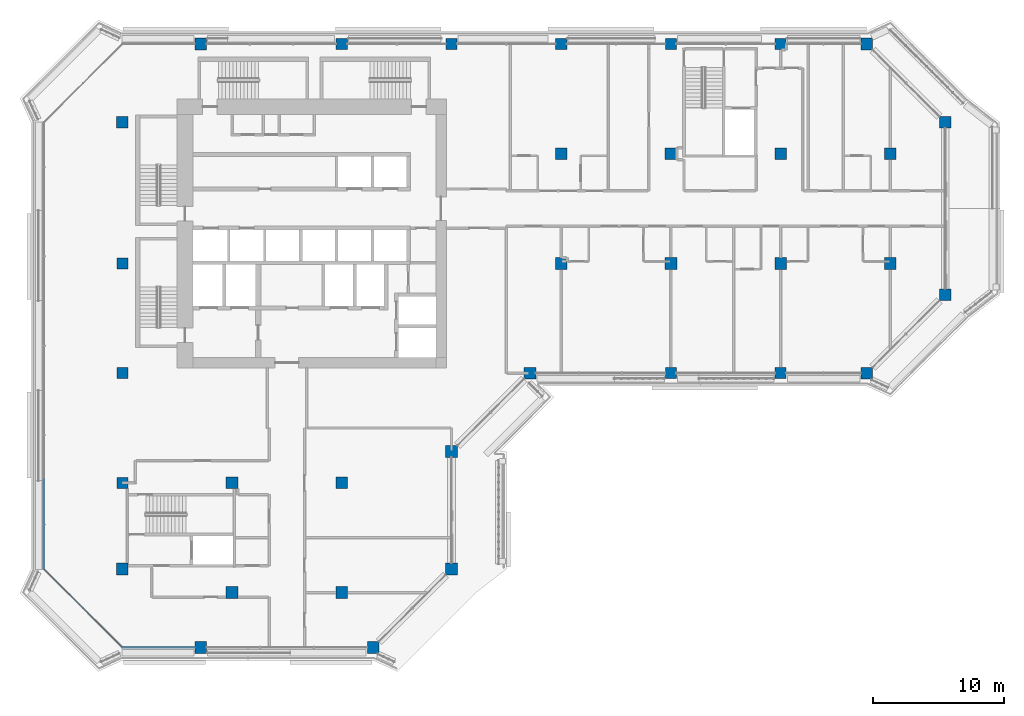
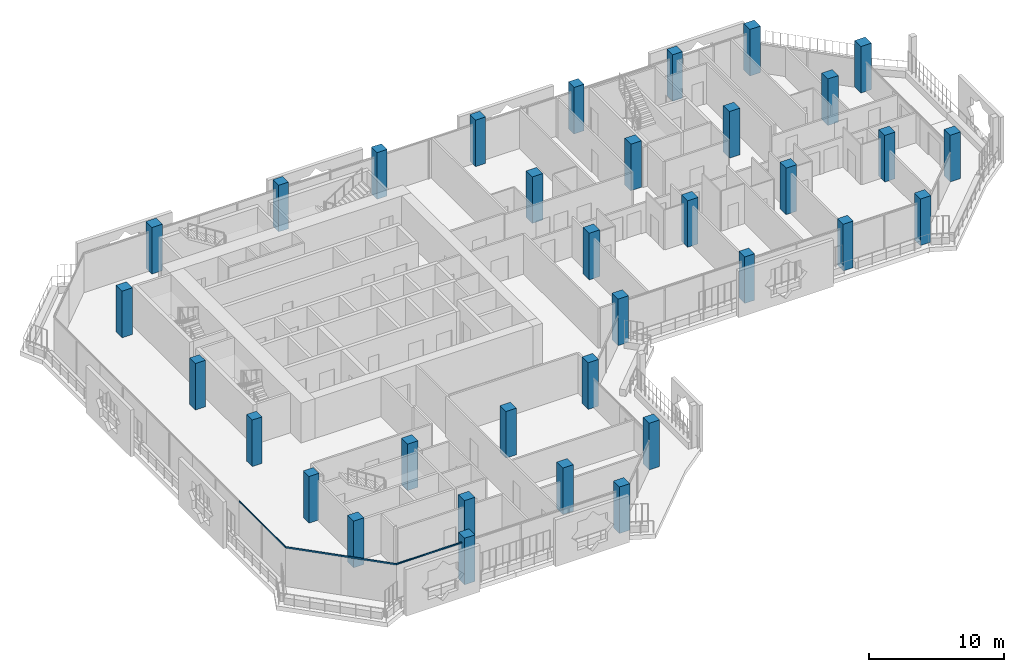
# One storey, part 1 of 23: 34 columns, 4 members, 3 elements without a shape of their own.
"""IFC4 building model written with IfcOpenShell, lengths in metres."""

from ifc_helpers import new_model, si_unit, direction, frame, origin, origin_2d, place, context, subcontext, project, spatial, rectangle, extrude, material, layer, layer_set, material_profile, profile_set, type_object, element, aggregate, save


model = new_model("IFC4")

# Units and contexts
model_context = context("Model", 3, precision=1e-05, world=origin(), true_north=direction((0.0, 1.0)))
body_context = subcontext(model_context, "Body", "Model", "MODEL_VIEW")
ifc_project = project(units=[si_unit("LENGTHUNIT", "METRE"), si_unit("AREAUNIT", "SQUARE_METRE"), si_unit("VOLUMEUNIT", "CUBIC_METRE"), si_unit("PLANEANGLEUNIT", "RADIAN"), si_unit("MASSUNIT", "GRAM", prefix="KILO")], contexts=[model_context])

# Site, building, storey
site_placement = place(None, origin())
site = spatial("IfcSite", under=ifc_project, at=site_placement, CompositionType="ELEMENT")
building_placement = place(site_placement, origin())
building = spatial("IfcBuilding", under=site, at=building_placement, Name="Kawkab Arch Medical Tower", CompositionType="ELEMENT")
storey_placement = place(building_placement, frame((0.0, 0.0, 247.39990234375)))
storey = spatial("IfcBuildingStorey", under=building, at=storey_placement, Name="L57", CompositionType="ELEMENT", Elevation=247.39990234375)

# Columns
ifc_material_1 = material(Name="Concrete C45/55", Category="concrete")
ifc_material_profile_1 = material_profile(ifc_material_1, rectangle(XDim=0.85009765625, YDim=0.85009765625, at=origin_2d()), Name="RC 850x850")
ifc_profile_set_1 = profile_set([ifc_material_profile_1], Name="Concrete C45/55")
column_type_1 = type_object("IfcColumnType", Name="RC 850x850 column C45/55", PredefinedType="COLUMN", material=ifc_profile_set_1)
for number, where, z_axis, x_axis, name in (
    (1, (16.800048828125, 0.0, 0.0), (0.0, 0.0, 1.0), (1.0, 0.0, 0.0), "Column RC 850x850"),
    (2, (25.199951171875, 0.0, 0.0), (0.0, 0.0, 1.0), (1.0, 0.0, 0.0), "Column RC 850x850"),
    (3, (33.60009765625, 0.0, 0.0), (0.0, 0.0, 1.0), (1.0, 0.0, 0.0), "Column RC 850x850"),
    (4, (42.0, 0.0, 0.0), (0.0, 0.0, 1.0), (1.0, 0.0, 0.0), "Column RC 850x850"),
    (5, (50.39990234375, 0.0, 0.0), (0.0, 0.0, 1.0), (1.0, 0.0, 0.0), "Column RC 850x850"),
    (6, (0.0, -16.800048828125, 0.0), (0.0, 0.0, 1.0), (1.0, 0.0, 0.0), "Column RC 850x850"),
    (7, (0.0, -25.199951171875, 0.0), (0.0, 0.0, 1.0), (1.0, 0.0, 0.0), "Column RC 850x850"),
    (8, (42.0, -25.199951171875, 0.0), (0.0, 0.0, 1.0), (1.0, 0.0, 0.0), "Column RC 850x850"),
    (9, (50.39990234375, -25.199951171875, 0.0), (0.0, 0.0, 1.0), (1.0, 0.0, 0.0), "Column RC 850x850"),
    (10, (0.0, -33.60009765625, 0.0), (0.0, 0.0, 1.0), (1.0, 0.0, 0.0), "Column RC 850x850"),
):
    element("IfcColumn", number, at=place(storey_placement, frame(where, z_axis=z_axis, x_axis=x_axis)), inside=storey, type_object=column_type_1, Name=name, PredefinedType="COLUMN", context=body_context, shape_type="SweptSolid", body=[
        extrude(rectangle(XDim=0.85009765625, YDim=0.85009765625, at=origin_2d()), origin(), (0.0, 0.0, 1.0), 4.2001953125),
    ])
ifc_material_2 = material(Name="Concrete C45/55", Category="concrete")
ifc_material_profile_2 = material_profile(ifc_material_2, rectangle(XDim=0.89990234375, YDim=0.89990234375, at=origin_2d()), Name="RC 900x900")
ifc_profile_set_2 = profile_set([ifc_material_profile_2], Name="Concrete C45/55")
column_type_2 = type_object("IfcColumnType", Name="RC 900x900 column C45/55", PredefinedType="COLUMN", material=ifc_profile_set_2)
for number, where, z_axis, x_axis, name in (
    (11, (6.0, 0.0, 0.0), (0.0, 0.0, 1.0), (1.0, 0.0, 0.0), "Column RC 900x900"),
    (12, (57.0, 0.0, 0.0), (0.0, 0.0, 1.0), (1.0, 0.0, 0.0), "Column RC 900x900"),
    (13, (0.0, -6.0, 0.0), (0.0, 0.0, 1.0), (1.0, 0.0, 0.0), "Column RC 900x900"),
    (14, (63.0, -6.0, 0.0), (0.0, 0.0, 1.0), (1.0, 0.0, 0.0), "Column RC 900x900"),
    (15, (33.60009765625, -8.39990234375, 0.0), (0.0, 0.0, 1.0), (1.0, 0.0, 0.0), "Column RC 900x900"),
    (16, (42.0, -8.39990234375, 0.0), (0.0, 0.0, 1.0), (1.0, 0.0, 0.0), "Column RC 900x900"),
    (17, (50.39990234375, -8.39990234375, 0.0), (0.0, 0.0, 1.0), (1.0, 0.0, 0.0), "Column RC 900x900"),
    (18, (58.800048828125, -8.39990234375, 0.0), (0.0, 0.0, 1.0), (1.0, 0.0, 0.0), "Column RC 900x900"),
    (19, (33.60009765625, -16.800048828125, 0.0), (0.0, 0.0, 1.0), (1.0, 0.0, 0.0), "Column RC 900x900"),
    (20, (42.0, -16.800048828125, 0.0), (0.0, 0.0, 1.0), (1.0, 0.0, 0.0), "Column RC 900x900"),
    (21, (50.39990234375, -16.800048828125, 0.0), (0.0, 0.0, 1.0), (1.0, 0.0, 0.0), "Column RC 900x900"),
    (22, (58.800048828125, -16.800048828125, 0.0), (0.0, 0.0, 1.0), (1.0, 0.0, 0.0), "Column RC 900x900"),
    (23, (63.0, -19.199951171875, 0.0), (0.0, 0.0, 1.0), (1.0, 0.0, 0.0), "Column RC 900x900"),
    (24, (31.199951171875, -25.199951171875, 0.0), (0.0, 0.0, 1.0), (1.0, 0.0, 0.0), "Column RC 900x900"),
    (25, (57.0, -25.199951171875, 0.0), (0.0, 0.0, 1.0), (1.0, 0.0, 0.0), "Column RC 900x900"),
    (26, (25.199951171875, -31.199951171875, 0.0), (0.0, 0.0, 1.0), (1.0, 0.0, 0.0), "Column RC 900x900"),
    (27, (8.39990234375, -33.60009765625, 0.0), (0.0, 0.0, 1.0), (1.0, 0.0, 0.0), "Column RC 900x900"),
    (28, (16.800048828125, -33.60009765625, 0.0), (0.0, 0.0, 1.0), (1.0, 0.0, 0.0), "Column RC 900x900"),
    (29, (0.0, -40.199951171875, 0.0), (0.0, 0.0, 1.0), (1.0, 0.0, 0.0), "Column RC 900x900"),
    (30, (25.199951171875, -40.199951171875, 0.0), (0.0, 0.0, 1.0), (1.0, 0.0, 0.0), "Column RC 900x900"),
    (31, (8.39990234375, -42.0, 0.0), (0.0, 0.0, 1.0), (1.0, 0.0, 0.0), "Column RC 900x900"),
    (32, (16.800048828125, -42.0, 0.0), (0.0, 0.0, 1.0), (1.0, 0.0, 0.0), "Column RC 900x900"),
    (33, (6.0, -46.199951171875, 0.0), (0.0, 0.0, 1.0), (1.0, 0.0, 0.0), "Column RC 900x900"),
    (34, (19.199951171875, -46.199951171875, 0.0), (0.0, 0.0, 1.0), (1.0, 0.0, 0.0), "Column RC 900x900"),
):
    element("IfcColumn", number, at=place(storey_placement, frame(where, z_axis=z_axis, x_axis=x_axis)), inside=storey, type_object=column_type_2, Name=name, PredefinedType="COLUMN", context=body_context, shape_type="SweptSolid", body=[
        extrude(rectangle(XDim=0.89990234375, YDim=0.89990234375, at=origin_2d()), origin(), (0.0, 0.0, 1.0), 4.2001953125),
    ])

# Curtain wall, member
ifc_material_3 = material(Name="Bronze anodised aluminium curtain wall frame", Category="aluminium")
ifc_layer_1 = layer(ifc_material_3, 0.159912109375)
ifc_layer_set_1 = layer_set([ifc_layer_1], Name="Bronze anodised aluminium curtain wall frame")
curtain_wall_type_1 = type_object("IfcCurtainWallType", Name="CW1 ward curtain wall", PredefinedType="NOTDEFINED", material=ifc_layer_set_1)
placement = place(storey_placement, origin())
curtain_wall_1 = element("IfcCurtainWall", 35, at=placement, inside=storey, type_object=curtain_wall_type_1, Name="CW1 Ward curtain wall R01", PredefinedType="NOTDEFINED")
ifc_material_4 = material(Name="Bronze anodised aluminium curtain wall frame", Category="aluminium")
ifc_material_profile_3 = material_profile(ifc_material_4, rectangle(XDim=0.06005859375, YDim=0.1201171875, at=origin_2d()), Name="AL 60x120")
ifc_profile_set_3 = profile_set([ifc_material_profile_3], Name="Bronze anodised aluminium curtain wall frame")
member_type_1 = type_object("IfcMemberType", Name="CW1 transom 120 x 60", PredefinedType="USERDEFINED", material=ifc_profile_set_3)
member_1_placement = place(storey_placement, frame((-6.0, -33.360107421875, 3.5400390625), z_axis=(0.0, -1.0, 0.0), x_axis=(1.0, 0.0, 0.0)))
member_1 = element("IfcMember", 36, at=member_1_placement, type_object=member_type_1, Name="CW1 transom 5", ObjectType="TRANSOM", PredefinedType="USERDEFINED", context=body_context, shape_type="SweptSolid", body=[
    extrude(rectangle(XDim=0.06005859375, YDim=0.1201171875, at=origin_2d()), origin(), (0.0, 0.0, 1.0), 6.83984375),
])
aggregate(curtain_wall_1, [member_1])

curtain_wall_2 = element("IfcCurtainWall", 37, at=placement, inside=storey, type_object=curtain_wall_type_1, Name="CW1 Ward curtain wall R03", PredefinedType="NOTDEFINED")
member_2_placement = place(storey_placement, frame((0.0, -46.199951171875, 3.5400390625), z_axis=(1.0, 0.0, 0.0), x_axis=(0.0, 1.0, 0.0)))
member_2 = element("IfcMember", 38, at=member_2_placement, type_object=member_type_1, Name="CW1 transom 1", ObjectType="TRANSOM", PredefinedType="USERDEFINED", context=body_context, shape_type="SweptSolid", body=[
    extrude(rectangle(XDim=0.06005859375, YDim=0.1201171875, at=origin_2d()), origin(), (0.0, 0.0, 1.0), 5.550048828125),
])
aggregate(curtain_wall_2, [member_2])

# Curtain wall, members
ifc_material_5 = material(Name="Bronze anodised aluminium curtain wall frame", Category="aluminium")
ifc_layer_2 = layer(ifc_material_5, 0.159912109375)
ifc_layer_set_2 = layer_set([ifc_layer_2], Name="Bronze anodised aluminium curtain wall frame")
curtain_wall_type_2 = type_object("IfcCurtainWallType", Name="CW2 chamfer curtain wall", PredefinedType="NOTDEFINED", material=ifc_layer_set_2)
curtain_wall_3 = element("IfcCurtainWall", 39, at=placement, inside=storey, type_object=curtain_wall_type_2, Name="CW2 Chamfer curtain wall R02", PredefinedType="NOTDEFINED")
ifc_material_6 = material(Name="Bronze anodised aluminium curtain wall frame", Category="aluminium")
ifc_material_profile_4 = material_profile(ifc_material_6, rectangle(XDim=0.06005859375, YDim=0.139892578125, at=origin_2d()), Name="AL 60x140")
ifc_profile_set_4 = profile_set([ifc_material_profile_4], Name="Bronze anodised aluminium curtain wall frame")
member_type_2 = type_object("IfcMemberType", Name="CW2 transom 140 x 60", PredefinedType="USERDEFINED", material=ifc_profile_set_4)
member_3_placement = place(storey_placement, frame((-6.0, -40.199951171875, 3.530029296875), z_axis=(0.707106781187, -0.707106781187, 0.0), x_axis=(0.707106781187, 0.707106781187, 0.0)))
member_3 = element("IfcMember", 40, at=member_3_placement, type_object=member_type_2, Name="CW2 transom 1", ObjectType="TRANSOM", PredefinedType="USERDEFINED", context=body_context, shape_type="SweptSolid", body=[
    extrude(rectangle(XDim=0.06005859375, YDim=0.139892578125, at=origin_2d()), origin(), (0.0, 0.0, 1.0), 4.24267578125),
])
member_4_placement = place(storey_placement, frame((-3.0, -43.199951171875, 3.530029296875), z_axis=(0.707106781187, -0.707106781187, 0.0), x_axis=(0.707106781187, 0.707106781187, 0.0)))
member_4 = element("IfcMember", 41, at=member_4_placement, type_object=member_type_2, Name="CW2 transom 2", ObjectType="TRANSOM", PredefinedType="USERDEFINED", context=body_context, shape_type="SweptSolid", body=[
    extrude(rectangle(XDim=0.06005859375, YDim=0.139892578125, at=origin_2d()), origin(), (0.0, 0.0, 1.0), 4.24267578125),
])
aggregate(curtain_wall_3, [member_3, member_4])

save(model, "model.ifc")
